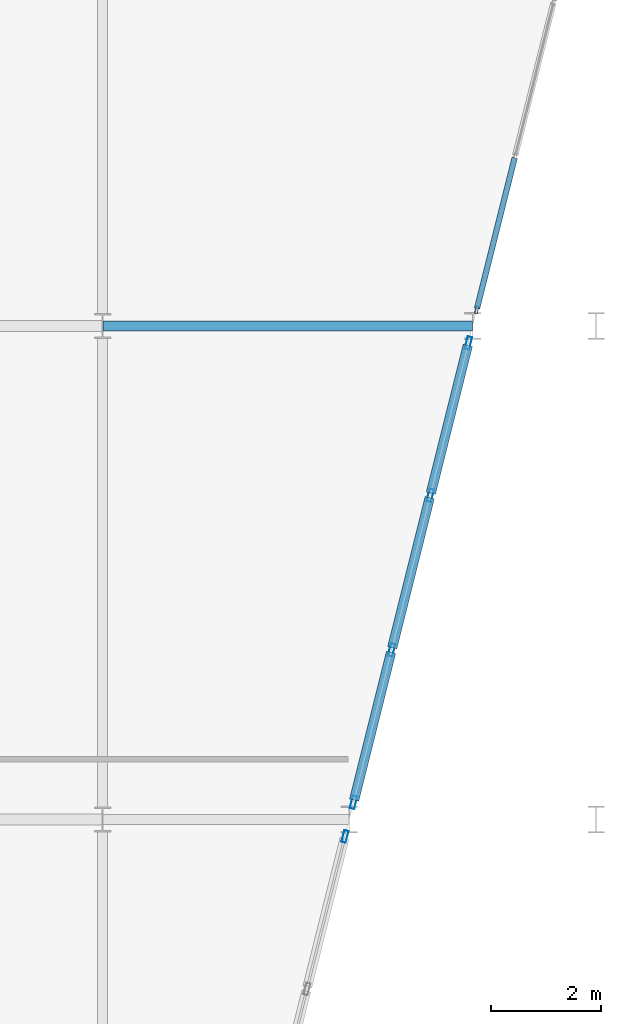
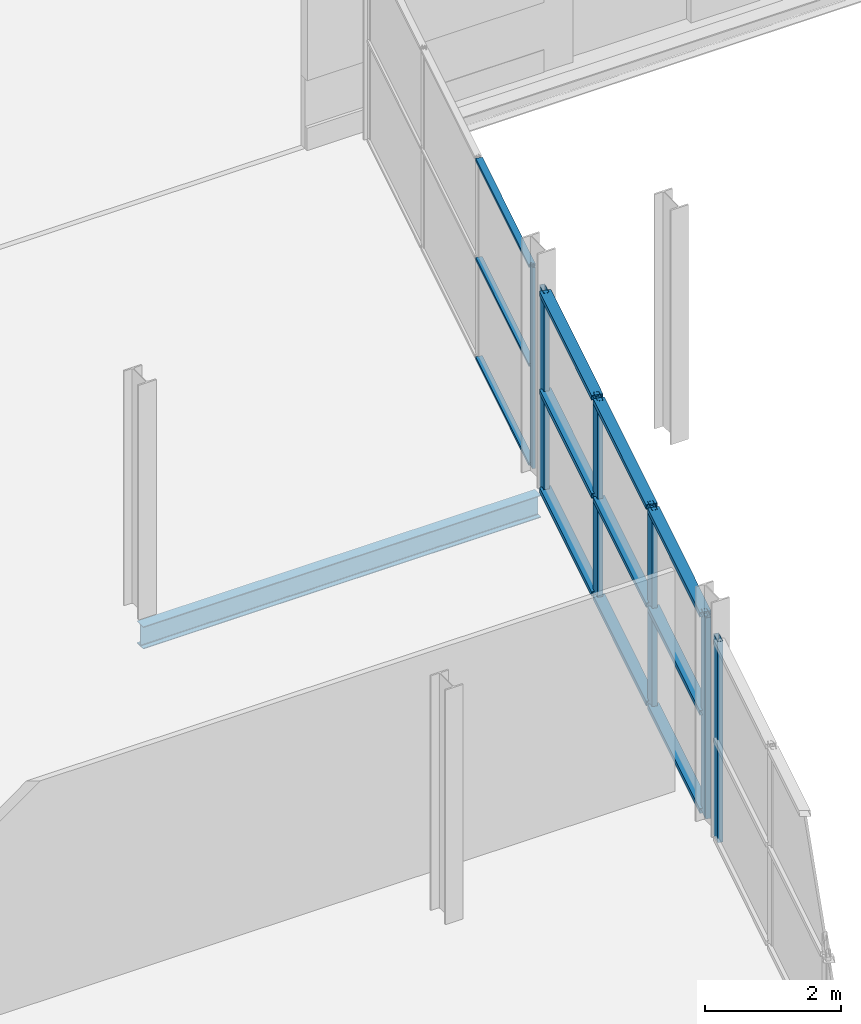
# One storey, part 75 of 140: 18 members, 1 beam, 3 elements without a shape of their own.
"""IFC4 building model written with IfcOpenShell, lengths in metres."""

from ifc_helpers import new_model, si_unit, direction, frame, origin, origin_2d, place, context, subcontext, project, spatial, hollow_rectangle, i_section, extrude, material, layer, layer_set, material_profile, profile_set, type_object, element, aggregate, save


model = new_model("IFC4")

# Units and contexts
model_context = context("Model", 3, precision=1e-05, world=origin(), true_north=direction((0.0, 1.0)))
body_context = subcontext(model_context, "Body", "Model", "MODEL_VIEW")
ifc_project = project(units=[si_unit("LENGTHUNIT", "METRE"), si_unit("AREAUNIT", "SQUARE_METRE"), si_unit("VOLUMEUNIT", "CUBIC_METRE"), si_unit("PLANEANGLEUNIT", "RADIAN"), si_unit("MASSUNIT", "GRAM", prefix="KILO")], contexts=[model_context])

# Site, building, storey
site_placement = place(None, origin())
site = spatial("IfcSite", under=ifc_project, at=site_placement, CompositionType="ELEMENT")
building_placement = place(site_placement, origin())
building = spatial("IfcBuilding", under=site, at=building_placement, Name="Deido Ridge Mobility Hub", CompositionType="ELEMENT")
storey_placement = place(building_placement, origin())
storey = spatial("IfcBuildingStorey", under=building, at=storey_placement, Name="L00", CompositionType="ELEMENT", Elevation=0.0)

# Beam
ifc_material_1 = material(Name="Steel S355J2 EN 10025-2", Category="steel")
ifc_material_profile_1 = material_profile(ifc_material_1, i_section(OverallWidth=0.179931640625, OverallDepth=0.39990234375, WebThickness=0.008544921875, FlangeThickness=0.013427734375, FilletRadius=0.02099609375, at=origin_2d()), Name="IPE 400")
ifc_profile_set_1 = profile_set([ifc_material_profile_1], Name="Steel S355J2 EN 10025-2")
beam_type = type_object("IfcBeamType", Name="BM-IPE400", PredefinedType="BEAM", material=ifc_profile_set_1)
beam_placement = place(storey_placement, frame((45.007080078125, 72.0, -0.4599609375), z_axis=(1.0, 0.0, 0.0), x_axis=(0.0, 1.0, 0.0)))
element("IfcBeam", 1, at=beam_placement, inside=storey, type_object=beam_type, Name="Floor beam B5", PredefinedType="BEAM", context=body_context, shape_type="SweptSolid", body=[
    extrude(i_section(OverallWidth=0.179931640625, OverallDepth=0.39990234375, WebThickness=0.008544921875, FlangeThickness=0.013427734375, FilletRadius=0.02099609375, at=origin_2d()), origin(), (0.0, 0.0, 1.0), 6.73583984375),
])

# Curtain wall, member
ifc_material_2 = material(Name="Anodised aluminium EN AW-6063 T6", Category="aluminium")
ifc_layer_1 = layer(ifc_material_2, 0.27001953125, Name="Anodised aluminium EN AW-6063 T6")
ifc_layer_set_1 = layer_set([ifc_layer_1], Name="Anodised aluminium EN AW-6063 T6")
curtain_wall_type_1 = type_object("IfcCurtainWallType", Name="CW-UF-8", PredefinedType="USERDEFINED", material=ifc_layer_set_1)
curtain_wall_1_placement = place(storey_placement, origin())
curtain_wall_1 = element("IfcCurtainWall", 2, at=curtain_wall_1_placement, inside=storey, type_object=curtain_wall_type_1, Name="Unitised curtain wall CW8", ObjectType="UNITISED FACADE", PredefinedType="USERDEFINED")
ifc_material_profile_2 = material_profile(ifc_material_2, hollow_rectangle(XDim=0.050048828125, YDim=0.1298828125, WallThickness=0.00390625, at=origin_2d()), Name="RHS 50x130x4")
ifc_profile_set_2 = profile_set([ifc_material_profile_2], Name="Anodised aluminium EN AW-6063 T6")
member_type_1 = type_object("IfcMemberType", Name="MEM-MUL-50X130", PredefinedType="MULLION", material=ifc_profile_set_2)
member_1_placement = place(storey_placement, frame((51.82373046875, 72.294921875, 0.0), z_axis=(0.0, 0.0, 1.0), x_axis=(-0.970139801497, 0.242546419373, 0.0)))
member_1 = element("IfcMember", 3, at=member_1_placement, type_object=member_type_1, Name="CW8 mullion 1", PredefinedType="MULLION", context=body_context, shape_type="SweptSolid", body=[
    extrude(hollow_rectangle(XDim=0.050048828125, YDim=0.1298828125, WallThickness=0.00390625, at=origin_2d()), origin(), (0.0, 0.0, 1.0), 3.60009765625),
])

ifc_layer_2 = layer(ifc_material_2, 0.239990234375, Name="Anodised aluminium EN AW-6063 T6")
ifc_layer_set_2 = layer_set([ifc_layer_2], Name="Anodised aluminium EN AW-6063 T6")
curtain_wall_type_2 = type_object("IfcCurtainWallType", Name="CW-UF-6", PredefinedType="USERDEFINED", material=ifc_layer_set_2)
curtain_wall_2_placement = place(storey_placement, origin())
curtain_wall_2 = element("IfcCurtainWall", 4, at=curtain_wall_2_placement, inside=storey, type_object=curtain_wall_type_2, Name="Unitised curtain wall CW6", ObjectType="UNITISED FACADE", PredefinedType="USERDEFINED")
ifc_material_profile_3 = material_profile(ifc_material_2, hollow_rectangle(XDim=0.080078125, YDim=0.219970703125, WallThickness=0.00390625, at=origin_2d()), Name="RHS 80x220x4")
ifc_profile_set_3 = profile_set([ifc_material_profile_3], Name="Anodised aluminium EN AW-6063 T6")
member_type_2 = type_object("IfcMemberType", Name="MEM-MUL-80X220", PredefinedType="MULLION", material=ifc_profile_set_3)
member_2_placement = place(storey_placement, frame((49.422607421875, 62.690673828125, 0.0), z_axis=(0.0, 0.0, 1.0), x_axis=(-0.970139801497, 0.242546419373, 0.0)))
member_2 = element("IfcMember", 5, at=member_2_placement, type_object=member_type_2, Name="CW6 mullion 4", PredefinedType="MULLION", context=body_context, shape_type="SweptSolid", body=[
    extrude(hollow_rectangle(XDim=0.080078125, YDim=0.219970703125, WallThickness=0.00390625, at=origin_2d()), origin(), (0.0, 0.0, 1.0), 3.60009765625),
])
aggregate(curtain_wall_2, [member_2])

# Curtain wall, members
ifc_layer_3 = layer(ifc_material_2, 0.2548828125, Name="Anodised aluminium EN AW-6063 T6")
ifc_layer_set_3 = layer_set([ifc_layer_3], Name="Anodised aluminium EN AW-6063 T6")
curtain_wall_type_3 = type_object("IfcCurtainWallType", Name="CW-UF-7", PredefinedType="USERDEFINED", material=ifc_layer_set_3)
curtain_wall_3_placement = place(storey_placement, origin())
curtain_wall_3 = element("IfcCurtainWall", 6, at=curtain_wall_3_placement, inside=storey, type_object=curtain_wall_type_3, Name="Unitised curtain wall CW7", ObjectType="UNITISED FACADE", PredefinedType="USERDEFINED")
ifc_material_profile_4 = material_profile(ifc_material_2, hollow_rectangle(XDim=0.0849609375, YDim=0.235107421875, WallThickness=0.00390625, at=origin_2d()), Name="RHS 85x235x4")
ifc_profile_set_4 = profile_set([ifc_material_profile_4], Name="Anodised aluminium EN AW-6063 T6")
member_type_3 = type_object("IfcMemberType", Name="MEM-MUL-85X235", PredefinedType="MULLION", material=ifc_profile_set_4)
member_3_placement = place(storey_placement, frame((49.577880859375, 63.311767578125, 0.0), z_axis=(0.0, 0.0, 1.0), x_axis=(-0.970139801497, 0.242546419373, 0.0)))
member_3 = element("IfcMember", 7, at=member_3_placement, type_object=member_type_3, Name="CW7 mullion 1", PredefinedType="MULLION", context=body_context, shape_type="SweptSolid", body=[
    extrude(hollow_rectangle(XDim=0.0849609375, YDim=0.235107421875, WallThickness=0.00390625, at=origin_2d()), origin(), (0.0, 0.0, 1.0), 3.60009765625),
])
member_4_placement = place(storey_placement, frame((50.2724609375, 66.090087890625, 0.0), z_axis=(0.0, 0.0, 1.0), x_axis=(-0.970139801497, 0.242546419373, 0.0)))
member_4 = element("IfcMember", 8, at=member_4_placement, type_object=member_type_3, Name="CW7 mullion 2", PredefinedType="MULLION", context=body_context, shape_type="SweptSolid", body=[
    extrude(hollow_rectangle(XDim=0.0849609375, YDim=0.235107421875, WallThickness=0.00390625, at=origin_2d()), origin(), (0.0, 0.0, 1.0), 3.60009765625),
])
member_5_placement = place(storey_placement, frame((50.9775390625, 68.909912109375, 0.0), z_axis=(0.0, 0.0, 1.0), x_axis=(-0.970139801497, 0.242546419373, 0.0)))
member_5 = element("IfcMember", 9, at=member_5_placement, type_object=member_type_3, Name="CW7 mullion 3", PredefinedType="MULLION", context=body_context, shape_type="SweptSolid", body=[
    extrude(hollow_rectangle(XDim=0.0849609375, YDim=0.235107421875, WallThickness=0.00390625, at=origin_2d()), origin(), (0.0, 0.0, 1.0), 3.60009765625),
])
member_6_placement = place(storey_placement, frame((51.672119140625, 71.688232421875, 0.0), z_axis=(0.0, 0.0, 1.0), x_axis=(-0.970139801497, 0.242546419373, 0.0)))
member_6 = element("IfcMember", 10, at=member_6_placement, type_object=member_type_3, Name="CW7 mullion 4", PredefinedType="MULLION", context=body_context, shape_type="SweptSolid", body=[
    extrude(hollow_rectangle(XDim=0.0849609375, YDim=0.235107421875, WallThickness=0.00390625, at=origin_2d()), origin(), (0.0, 0.0, 1.0), 3.60009765625),
])

# Member
ifc_material_profile_5 = material_profile(ifc_material_2, hollow_rectangle(XDim=0.10498046875, YDim=0.050048828125, WallThickness=0.00390625, at=origin_2d()), Name="RHS 105x50x4")
ifc_profile_set_5 = profile_set([ifc_material_profile_5], Name="Anodised aluminium EN AW-6063 T6")
member_type_4 = type_object("IfcMemberType", Name="MEM-TRN-105X50", PredefinedType="USERDEFINED", material=ifc_profile_set_5)
member_7_placement = place(storey_placement, frame((51.829833984375, 72.319091796875, 0.02490234375), z_axis=(0.242474757328, 0.970157715044, 0.0), x_axis=(-0.970157715044, 0.242474757328, 0.0)))
member_7 = element("IfcMember", 11, at=member_7_placement, type_object=member_type_4, Name="CW8 transom 1.1", ObjectType="TRANSOM", PredefinedType="USERDEFINED", context=body_context, shape_type="SweptSolid", body=[
    extrude(hollow_rectangle(XDim=0.10498046875, YDim=0.050048828125, WallThickness=0.00390625, at=origin_2d()), origin(), (0.0, 0.0, 1.0), 2.831298828125),
])

member_8_placement = place(storey_placement, frame((51.829833984375, 72.319091796875, 1.800048828125), z_axis=(0.242474757328, 0.970157715044, 0.0), x_axis=(-0.970157715044, 0.242474757328, 0.0)))
member_8 = element("IfcMember", 12, at=member_8_placement, type_object=member_type_4, Name="CW8 transom 1.2", ObjectType="TRANSOM", PredefinedType="USERDEFINED", context=body_context, shape_type="SweptSolid", body=[
    extrude(hollow_rectangle(XDim=0.10498046875, YDim=0.050048828125, WallThickness=0.00390625, at=origin_2d()), origin(), (0.0, 0.0, 1.0), 2.831298828125),
])

member_9_placement = place(storey_placement, frame((51.829833984375, 72.319091796875, 3.574951171875), z_axis=(0.242474757328, 0.970157715044, 0.0), x_axis=(-0.970157715044, 0.242474757328, 0.0)))
member_9 = element("IfcMember", 13, at=member_9_placement, type_object=member_type_4, Name="CW8 transom 1.3", ObjectType="TRANSOM", PredefinedType="USERDEFINED", context=body_context, shape_type="SweptSolid", body=[
    extrude(hollow_rectangle(XDim=0.10498046875, YDim=0.050048828125, WallThickness=0.00390625, at=origin_2d()), origin(), (0.0, 0.0, 1.0), 2.831298828125),
])

aggregate(curtain_wall_1, [member_1, member_7, member_8, member_9])

ifc_material_profile_6 = material_profile(ifc_material_2, hollow_rectangle(XDim=0.175048828125, YDim=0.0849609375, WallThickness=0.00390625, at=origin_2d()), Name="RHS 175x85x4")
ifc_profile_set_6 = profile_set([ifc_material_profile_6], Name="Anodised aluminium EN AW-6063 T6")
member_type_5 = type_object("IfcMemberType", Name="MEM-TRN-175X85", PredefinedType="USERDEFINED", material=ifc_profile_set_6)
member_10_placement = place(storey_placement, frame((49.588134765625, 63.35302734375, 0.04248046875), z_axis=(0.242556295778, 0.970137332226, 0.0), x_axis=(-0.970137332226, 0.242556295778, 0.0)))
member_10 = element("IfcMember", 14, at=member_10_placement, type_object=member_type_5, Name="CW7 transom 1.1", ObjectType="TRANSOM", PredefinedType="USERDEFINED", context=body_context, shape_type="SweptSolid", body=[
    extrude(hollow_rectangle(XDim=0.175048828125, YDim=0.0849609375, WallThickness=0.00390625, at=origin_2d()), origin(), (0.0, 0.0, 1.0), 2.779052734375),
])

member_11_placement = place(storey_placement, frame((49.588134765625, 63.35302734375, 1.800048828125), z_axis=(0.242556295778, 0.970137332226, 0.0), x_axis=(-0.970137332226, 0.242556295778, 0.0)))
member_11 = element("IfcMember", 15, at=member_11_placement, type_object=member_type_5, Name="CW7 transom 1.2", ObjectType="TRANSOM", PredefinedType="USERDEFINED", context=body_context, shape_type="SweptSolid", body=[
    extrude(hollow_rectangle(XDim=0.175048828125, YDim=0.0849609375, WallThickness=0.00390625, at=origin_2d()), origin(), (0.0, 0.0, 1.0), 2.779052734375),
])

member_12_placement = place(storey_placement, frame((49.588134765625, 63.35302734375, 3.5576171875), z_axis=(0.242556295778, 0.970137332226, 0.0), x_axis=(-0.970137332226, 0.242556295778, 0.0)))
member_12 = element("IfcMember", 16, at=member_12_placement, type_object=member_type_5, Name="CW7 transom 1.3", ObjectType="TRANSOM", PredefinedType="USERDEFINED", context=body_context, shape_type="SweptSolid", body=[
    extrude(hollow_rectangle(XDim=0.175048828125, YDim=0.0849609375, WallThickness=0.00390625, at=origin_2d()), origin(), (0.0, 0.0, 1.0), 2.779052734375),
])

member_13_placement = place(storey_placement, frame((50.282958984375, 66.13134765625, 0.04248046875), z_axis=(0.242454185147, 0.970162856486, 0.0), x_axis=(-0.970162856486, 0.242454185147, 0.0)))
member_13 = element("IfcMember", 17, at=member_13_placement, type_object=member_type_5, Name="CW7 transom 2.1", ObjectType="TRANSOM", PredefinedType="USERDEFINED", context=body_context, shape_type="SweptSolid", body=[
    extrude(hollow_rectangle(XDim=0.175048828125, YDim=0.0849609375, WallThickness=0.00390625, at=origin_2d()), origin(), (0.0, 0.0, 1.0), 2.821533203125),
])

member_14_placement = place(storey_placement, frame((50.282958984375, 66.13134765625, 1.800048828125), z_axis=(0.242454185147, 0.970162856486, 0.0), x_axis=(-0.970162856486, 0.242454185147, 0.0)))
member_14 = element("IfcMember", 18, at=member_14_placement, type_object=member_type_5, Name="CW7 transom 2.2", ObjectType="TRANSOM", PredefinedType="USERDEFINED", context=body_context, shape_type="SweptSolid", body=[
    extrude(hollow_rectangle(XDim=0.175048828125, YDim=0.0849609375, WallThickness=0.00390625, at=origin_2d()), origin(), (0.0, 0.0, 1.0), 2.821533203125),
])

member_15_placement = place(storey_placement, frame((50.282958984375, 66.13134765625, 3.5576171875), z_axis=(0.242454185147, 0.970162856486, 0.0), x_axis=(-0.970162856486, 0.242454185147, 0.0)))
member_15 = element("IfcMember", 19, at=member_15_placement, type_object=member_type_5, Name="CW7 transom 2.3", ObjectType="TRANSOM", PredefinedType="USERDEFINED", context=body_context, shape_type="SweptSolid", body=[
    extrude(hollow_rectangle(XDim=0.175048828125, YDim=0.0849609375, WallThickness=0.00390625, at=origin_2d()), origin(), (0.0, 0.0, 1.0), 2.821533203125),
])

member_16_placement = place(storey_placement, frame((50.98779296875, 68.950927734375, 0.04248046875), z_axis=(0.242556295778, 0.970137332226, 0.0), x_axis=(-0.970137332226, 0.242556295778, 0.0)))
member_16 = element("IfcMember", 20, at=member_16_placement, type_object=member_type_5, Name="CW7 transom 3.1", ObjectType="TRANSOM", PredefinedType="USERDEFINED", context=body_context, shape_type="SweptSolid", body=[
    extrude(hollow_rectangle(XDim=0.175048828125, YDim=0.0849609375, WallThickness=0.00390625, at=origin_2d()), origin(), (0.0, 0.0, 1.0), 2.779052734375),
])

member_17_placement = place(storey_placement, frame((50.98779296875, 68.950927734375, 1.800048828125), z_axis=(0.242556295778, 0.970137332226, 0.0), x_axis=(-0.970137332226, 0.242556295778, 0.0)))
member_17 = element("IfcMember", 21, at=member_17_placement, type_object=member_type_5, Name="CW7 transom 3.2", ObjectType="TRANSOM", PredefinedType="USERDEFINED", context=body_context, shape_type="SweptSolid", body=[
    extrude(hollow_rectangle(XDim=0.175048828125, YDim=0.0849609375, WallThickness=0.00390625, at=origin_2d()), origin(), (0.0, 0.0, 1.0), 2.779052734375),
])

member_18_placement = place(storey_placement, frame((50.98779296875, 68.950927734375, 3.5576171875), z_axis=(0.242556295778, 0.970137332226, 0.0), x_axis=(-0.970137332226, 0.242556295778, 0.0)))
member_18 = element("IfcMember", 22, at=member_18_placement, type_object=member_type_5, Name="CW7 transom 3.3", ObjectType="TRANSOM", PredefinedType="USERDEFINED", context=body_context, shape_type="SweptSolid", body=[
    extrude(hollow_rectangle(XDim=0.175048828125, YDim=0.0849609375, WallThickness=0.00390625, at=origin_2d()), origin(), (0.0, 0.0, 1.0), 2.779052734375),
])

aggregate(curtain_wall_3, [member_3, member_4, member_5, member_6, member_10, member_11, member_12, member_13, member_14, member_15, member_16, member_17, member_18])

save(model, "model.ifc")
